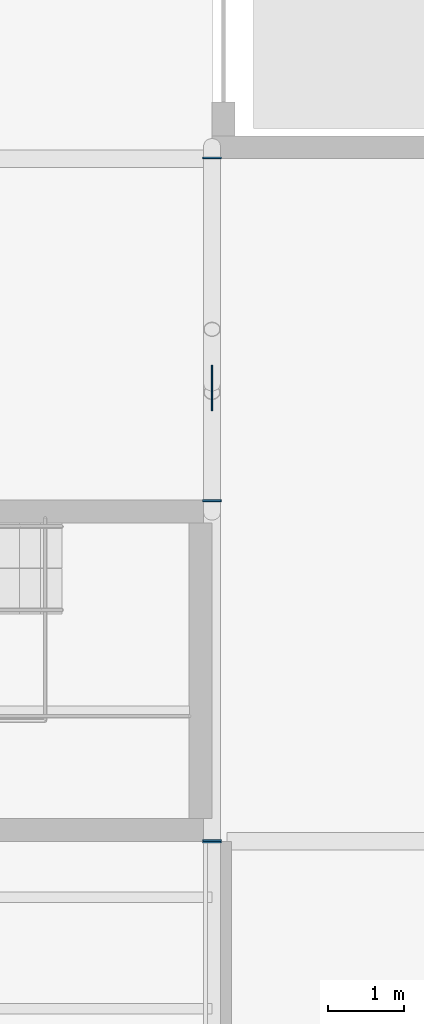
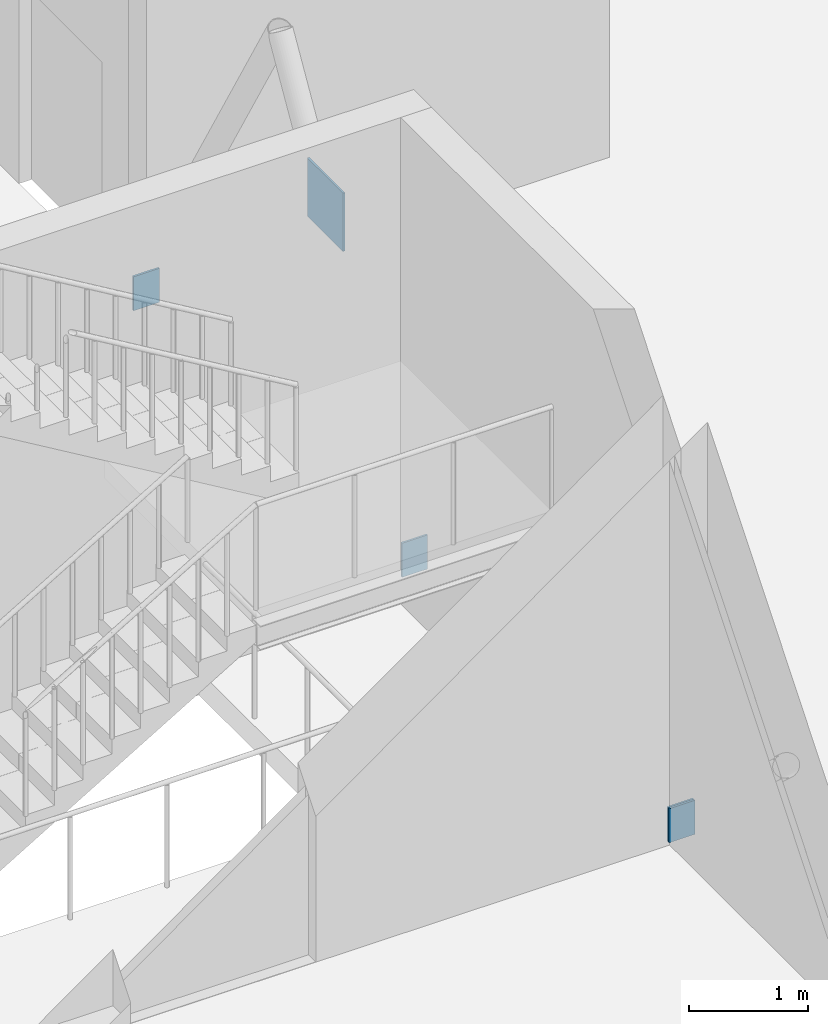
# One storey, part 49 of 63: 5 discrete accessories.
"""IFC4 building model written with IfcOpenShell, lengths in metres."""

from ifc_helpers import new_model, si_unit, direction, frame, origin, origin_2d, place, context, subcontext, project, spatial, rectangle, extrude, element, save


model = new_model("IFC4")

# Units and contexts
model_context = context("Model", 3, precision=1e-05, world=origin(), true_north=direction((0.0, 1.0)))
body_context = subcontext(model_context, "Body", "Model", "MODEL_VIEW")
ifc_project = project(units=[si_unit("LENGTHUNIT", "METRE"), si_unit("AREAUNIT", "SQUARE_METRE"), si_unit("VOLUMEUNIT", "CUBIC_METRE"), si_unit("PLANEANGLEUNIT", "RADIAN"), si_unit("MASSUNIT", "GRAM", prefix="KILO")], contexts=[model_context])

# Site, building, storey
site_placement = place(None, origin())
site = spatial("IfcSite", under=ifc_project, at=site_placement, CompositionType="ELEMENT")
building_placement = place(site_placement, origin())
building = spatial("IfcBuilding", under=site, at=building_placement, Name="Halyard Row Museum", CompositionType="ELEMENT")
storey_placement = place(building_placement, origin())
storey = spatial("IfcBuildingStorey", under=building, at=storey_placement, Name="L00", CompositionType="ELEMENT", Elevation=0.0)

# Discrete accessories
discrete_accessory_placement = place(storey_placement, frame((72.0, 23.97509765625, 2.62548828125), z_axis=(0.0, 0.0, 1.0), x_axis=(1.0, 0.0, 0.0)))
element("IfcDiscreteAccessory", 1, at=discrete_accessory_placement, inside=storey, Name="Brace crossing node plate L00 X72", PredefinedType="BRACKET", context=body_context, shape_type="SweptSolid", body=[
    extrude(rectangle(XDim=0.02001953125, YDim=0.60009765625, at=origin_2d()), origin(), (0.0, 0.0, 1.0), 0.60009765625),
])
for number, where, z_axis, x_axis, name in (
    (2, (72.0, 18.0, 0.215087890625), (0.0, 1.0, 0.0), (-1.0, 0.0, 0.0), "Brace L00 X72 9-18 B cast-in plate"),
    (3, (72.0, 18.0, 0.215087890625), (0.0, -1.0, 0.0), (1.0, 0.0, 0.0), "Brace L00 X72 18-27 A cast-in plate"),
    (4, (72.0, 27.0, 0.215087890625), (0.0, 1.0, 0.0), (-1.0, 0.0, 0.0), "Brace L00 X72 18-27 B cast-in plate"),
    (5, (72.0, 22.5, 0.215087890625), (0.0, -1.0, 0.0), (1.0, 0.0, 0.0), "Brace L00 X72 22.5-27 A cast-in plate"),
):
    element("IfcDiscreteAccessory", number, at=place(storey_placement, frame(where, z_axis=z_axis, x_axis=x_axis)), inside=storey, Name=name, PredefinedType="ANCHORPLATE", context=body_context, shape_type="SweptSolid", body=[
        extrude(rectangle(XDim=0.25, YDim=0.35009765625, at=origin_2d()), origin(), (0.0, 0.0, 1.0), 0.02001953125),
    ])

save(model, "model.ifc")
